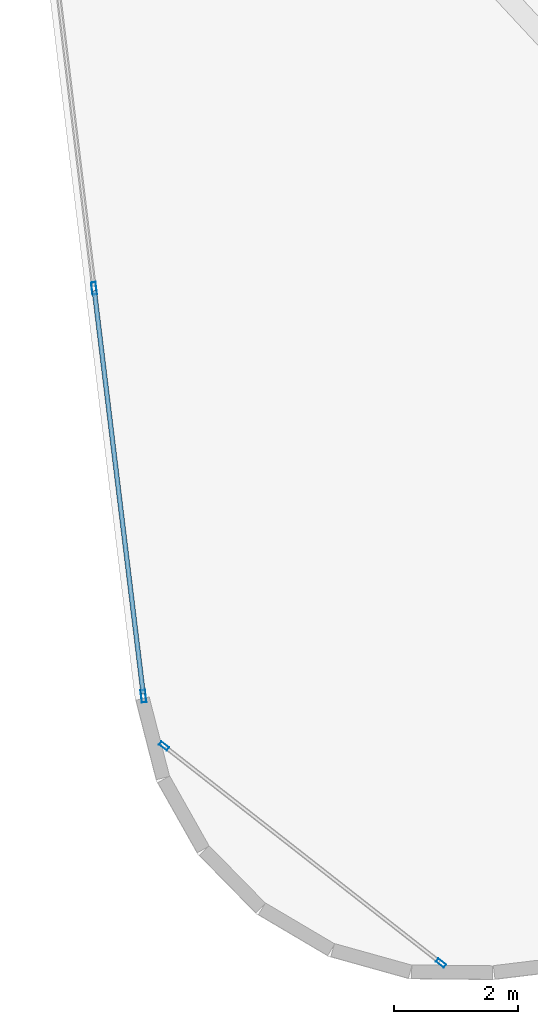
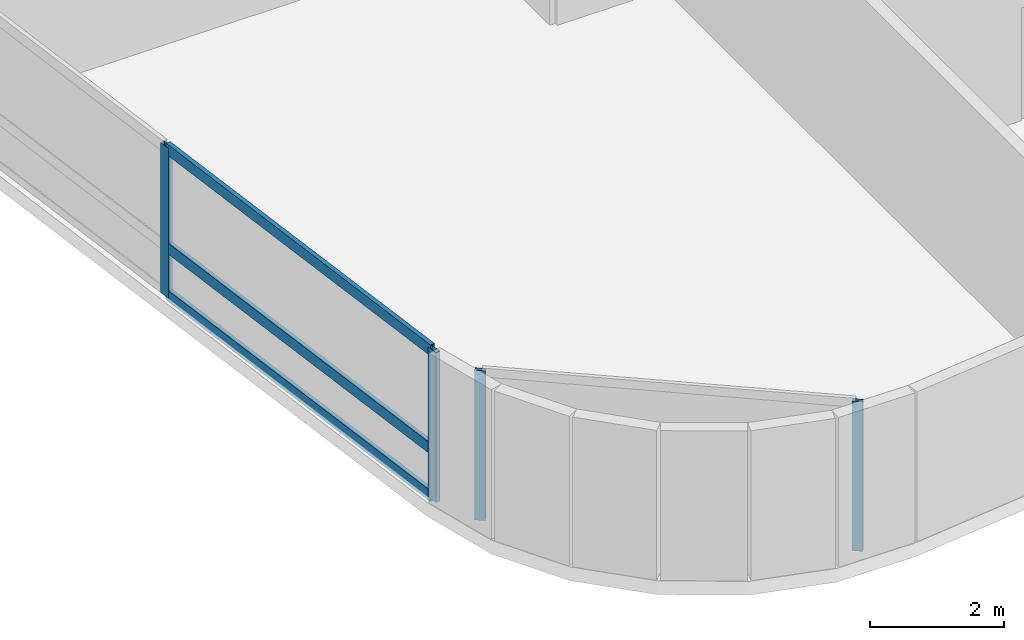
# One storey, part 2 of 24: 7 members, 2 elements without a shape of their own.
"""IFC4 building model written with IfcOpenShell, lengths in metres."""

from ifc_helpers import new_model, si_unit, direction, frame, origin, origin_2d, place, context, subcontext, project, spatial, hollow_rectangle, extrude, material, layer, layer_set, material_profile, profile_set, type_object, element, aggregate, save


model = new_model("IFC4")

# Units and contexts
model_context = context("Model", 3, precision=1e-05, world=origin(), true_north=direction((0.0, 1.0)))
body_context = subcontext(model_context, "Body", "Model", "MODEL_VIEW")
ifc_project = project(units=[si_unit("LENGTHUNIT", "METRE"), si_unit("AREAUNIT", "SQUARE_METRE"), si_unit("VOLUMEUNIT", "CUBIC_METRE"), si_unit("PLANEANGLEUNIT", "RADIAN"), si_unit("MASSUNIT", "GRAM", prefix="KILO")], contexts=[model_context])

# Site, building, storey
site_placement = place(None, origin())
site = spatial("IfcSite", under=ifc_project, at=site_placement, CompositionType="ELEMENT")
building_placement = place(site_placement, origin())
building = spatial("IfcBuilding", under=site, at=building_placement, Name="Varnelok Gate Tower", CompositionType="ELEMENT")
storey_placement = place(building_placement, frame((0.0, 0.0, 167.199951171875)))
storey = spatial("IfcBuildingStorey", under=building, at=storey_placement, Name="L42", CompositionType="ELEMENT", Elevation=167.199951171875)

# Curtain wall, members
ifc_material = material(Name="Anodized Aluminum Alloy 6063-T6", Category="aluminium")
ifc_layer_1 = layer(ifc_material, 0.179931640625)
ifc_layer_set_1 = layer_set([ifc_layer_1], Name="Anodized Aluminum Alloy 6063-T6")
curtain_wall_type_1 = type_object("IfcCurtainWallType", Name="CW5-WINDCORNER-GLAZ", PredefinedType="USERDEFINED", material=ifc_layer_set_1)
curtain_wall_1_placement = place(storey_placement, origin())
curtain_wall_1 = element("IfcCurtainWall", 1, at=curtain_wall_1_placement, inside=storey, type_object=curtain_wall_type_1, Name="L42 Wind-Shaped Corner Curtain Wall SW", ObjectType="STRUCTURAL GLAZING", PredefinedType="USERDEFINED")
ifc_material_profile_1 = material_profile(ifc_material, hollow_rectangle(XDim=0.06494140625, YDim=0.159912109375, WallThickness=0.00390625, at=origin_2d()), Name="ALU160X65X4")
ifc_profile_set_1 = profile_set([ifc_material_profile_1], Name="Anodized Aluminum Alloy 6063-T6")
member_type_1 = type_object("IfcMemberType", Name="CW-MULL-160", PredefinedType="MULLION", material=ifc_profile_set_1)
member_1_placement = place(storey_placement, frame((6.63330078125, 3.720947265625, 0.0), z_axis=(0.0, 0.0, 1.0), x_axis=(0.616862756615, 0.787070733481, 0.0)))
member_1 = element("IfcMember", 2, at=member_1_placement, type_object=member_type_1, Name="CW5 mullion 1", PredefinedType="MULLION", context=body_context, shape_type="SweptSolid", body=[
    extrude(hollow_rectangle(XDim=0.06494140625, YDim=0.159912109375, WallThickness=0.00390625, at=origin_2d()), origin(), (0.0, 0.0, 1.0), 2.72998046875),
])
member_2_placement = place(storey_placement, frame((11.1123046875, 0.21044921875, 0.0), z_axis=(0.0, 0.0, 1.0), x_axis=(0.616862756615, 0.787070733481, 0.0)))
member_2 = element("IfcMember", 3, at=member_2_placement, type_object=member_type_1, Name="CW5 mullion 2", PredefinedType="MULLION", context=body_context, shape_type="SweptSolid", body=[
    extrude(hollow_rectangle(XDim=0.06494140625, YDim=0.159912109375, WallThickness=0.00390625, at=origin_2d()), origin(), (0.0, 0.0, 1.0), 2.72998046875),
])
aggregate(curtain_wall_1, [member_1, member_2])

ifc_layer_2 = layer(ifc_material, 0.179931640625)
ifc_layer_set_2 = layer_set([ifc_layer_2], Name="Anodized Aluminum Alloy 6063-T6")
curtain_wall_type_2 = type_object("IfcCurtainWallType", Name="CW4-RESIDENCE-VISION", PredefinedType="USERDEFINED", material=ifc_layer_set_2)
curtain_wall_2_placement = place(storey_placement, origin())
curtain_wall_2 = element("IfcCurtainWall", 4, at=curtain_wall_2_placement, inside=storey, type_object=curtain_wall_type_2, Name="L42 West End Vision Curtain Wall", ObjectType="UNITISED CURTAIN WALL", PredefinedType="USERDEFINED")
ifc_material_profile_2 = material_profile(ifc_material, hollow_rectangle(XDim=0.074951171875, YDim=0.199951171875, WallThickness=0.00390625, at=origin_2d()), Name="ALU200X75X4")
ifc_profile_set_2 = profile_set([ifc_material_profile_2], Name="Anodized Aluminum Alloy 6063-T6")
member_type_2 = type_object("IfcMemberType", Name="CW-MULL-200", PredefinedType="MULLION", material=ifc_profile_set_2)
member_3_placement = place(storey_placement, frame((6.30078125, 4.52734375, 0.0), z_axis=(0.0, 0.0, 1.0), x_axis=(-0.992732188751, -0.120344511371, 0.0)))
member_3 = element("IfcMember", 5, at=member_3_placement, type_object=member_type_2, Name="CW4 mullion 1", PredefinedType="MULLION", context=body_context, shape_type="SweptSolid", body=[
    extrude(hollow_rectangle(XDim=0.074951171875, YDim=0.199951171875, WallThickness=0.00390625, at=origin_2d()), origin(), (0.0, 0.0, 1.0), 2.72998046875),
])
member_4_placement = place(storey_placement, frame((5.50146484375, 11.12158203125, 0.0), z_axis=(0.0, 0.0, 1.0), x_axis=(-0.992732188751, -0.120344511371, 0.0)))
member_4 = element("IfcMember", 6, at=member_4_placement, type_object=member_type_2, Name="CW4 mullion 2", PredefinedType="MULLION", context=body_context, shape_type="SweptSolid", body=[
    extrude(hollow_rectangle(XDim=0.074951171875, YDim=0.199951171875, WallThickness=0.00390625, at=origin_2d()), origin(), (0.0, 0.0, 1.0), 2.72998046875),
])
ifc_material_profile_3 = material_profile(ifc_material, hollow_rectangle(XDim=0.074951171875, YDim=0.199951171875, WallThickness=0.00390625, at=origin_2d()), Name="ALU200X75X4")
ifc_profile_set_3 = profile_set([ifc_material_profile_3], Name="Anodized Aluminum Alloy 6063-T6")
member_type_3 = type_object("IfcMemberType", Name="CW-TRAN-200", PredefinedType="USERDEFINED", material=ifc_profile_set_3)
member_5_placement = place(storey_placement, frame((6.29638671875, 4.564453125, 0.03759765625), z_axis=(-0.120369113246, 0.992729206066, 0.0), x_axis=(-0.992729206066, -0.120369113246, 0.0)))
member_5 = element("IfcMember", 7, at=member_5_placement, type_object=member_type_3, Name="CW4 transom 1.1", ObjectType="TRANSOM", PredefinedType="USERDEFINED", context=body_context, shape_type="SweptSolid", body=[
    extrude(hollow_rectangle(XDim=0.074951171875, YDim=0.199951171875, WallThickness=0.00390625, at=origin_2d()), origin(), (0.0, 0.0, 1.0), 6.567626953125),
])
member_6_placement = place(storey_placement, frame((6.29638671875, 4.564453125, 0.900146484375), z_axis=(-0.120369113246, 0.992729206066, 0.0), x_axis=(-0.992729206066, -0.120369113246, 0.0)))
member_6 = element("IfcMember", 8, at=member_6_placement, type_object=member_type_3, Name="CW4 transom 1.2", ObjectType="TRANSOM", PredefinedType="USERDEFINED", context=body_context, shape_type="SweptSolid", body=[
    extrude(hollow_rectangle(XDim=0.074951171875, YDim=0.199951171875, WallThickness=0.00390625, at=origin_2d()), origin(), (0.0, 0.0, 1.0), 6.567626953125),
])
member_7_placement = place(storey_placement, frame((6.29638671875, 4.564453125, 2.692626953125), z_axis=(-0.120369113246, 0.992729206066, 0.0), x_axis=(-0.992729206066, -0.120369113246, 0.0)))
member_7 = element("IfcMember", 9, at=member_7_placement, type_object=member_type_3, Name="CW4 transom 1.3", ObjectType="TRANSOM", PredefinedType="USERDEFINED", context=body_context, shape_type="SweptSolid", body=[
    extrude(hollow_rectangle(XDim=0.074951171875, YDim=0.199951171875, WallThickness=0.00390625, at=origin_2d()), origin(), (0.0, 0.0, 1.0), 6.567626953125),
])
aggregate(curtain_wall_2, [member_3, member_4, member_5, member_6, member_7])

save(model, "model.ifc")
